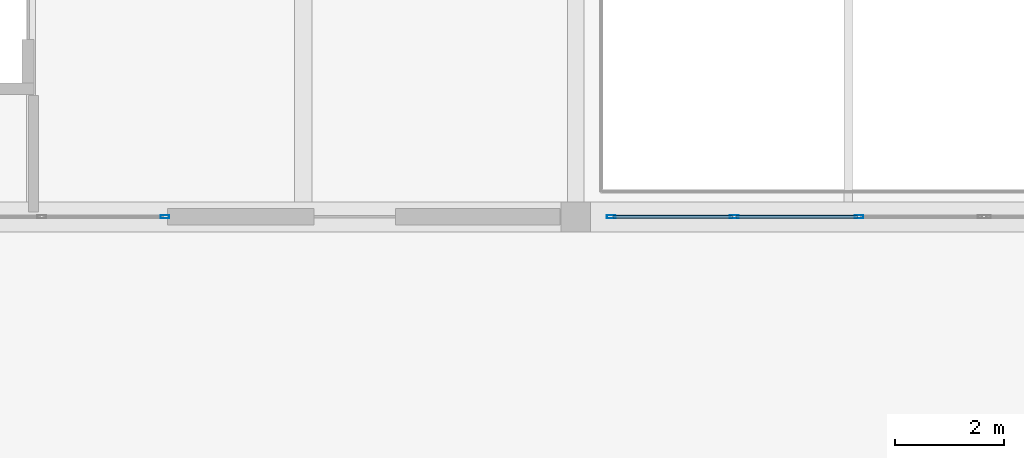
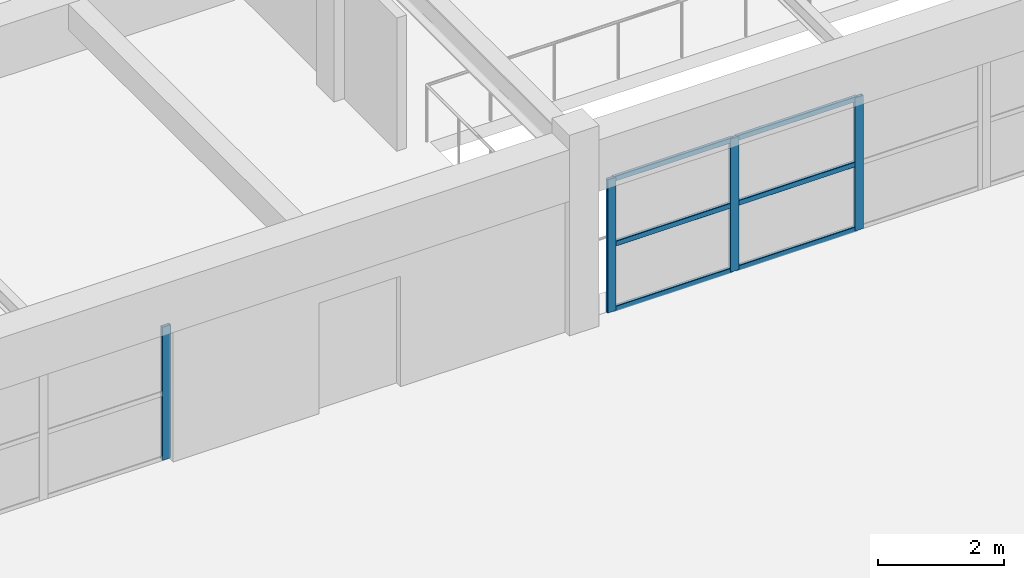
# One storey, part 4 of 101: 10 members, 2 elements without a shape of their own.
"""IFC4 building model written with IfcOpenShell, lengths in metres."""

from ifc_helpers import new_model, si_unit, direction, frame, origin, origin_2d, place, context, subcontext, project, spatial, hollow_rectangle, extrude, material, material_profile, profile_set, type_object, element, aggregate, save


model = new_model("IFC4")

# Units and contexts
model_context = context("Model", 3, precision=1e-05, world=origin(), true_north=direction((0.0, 1.0)))
body_context = subcontext(model_context, "Body", "Model", "MODEL_VIEW")
ifc_project = project(units=[si_unit("LENGTHUNIT", "METRE"), si_unit("AREAUNIT", "SQUARE_METRE"), si_unit("VOLUMEUNIT", "CUBIC_METRE"), si_unit("PLANEANGLEUNIT", "RADIAN"), si_unit("MASSUNIT", "GRAM", prefix="KILO")], contexts=[model_context])

# Site, building, storey
site_placement = place(None, origin())
site = spatial("IfcSite", under=ifc_project, at=site_placement, CompositionType="ELEMENT")
building_placement = place(site_placement, origin())
building = spatial("IfcBuilding", under=site, at=building_placement, Name="Qasida Concert Hall", CompositionType="ELEMENT")
storey_placement = place(building_placement, frame((0.0, 0.0, 13.199951171875)))
storey = spatial("IfcBuildingStorey", under=building, at=storey_placement, Name="L03", CompositionType="ELEMENT", Elevation=13.199951171875)

# Curtain wall, member
ifc_material_1 = material(Name="Architectural bronze-anodized aluminium and low-E glass", Category="aluminium")
curtain_wall_type = type_object("IfcCurtainWallType", Name="CW-09", PredefinedType="NOTDEFINED", material=ifc_material_1)
curtain_wall_1_placement = place(storey_placement, origin())
curtain_wall_1 = element("IfcCurtainWall", 1, at=curtain_wall_1_placement, inside=storey, type_object=curtain_wall_type, Name="L03 curtain wall CW-09 0117", PredefinedType="NOTDEFINED")
ifc_material_2 = material(Name="Architectural bronze-anodized aluminium EN AW-6063", Category="aluminium")
ifc_material_profile_1 = material_profile(ifc_material_2, hollow_rectangle(XDim=0.06005859375, YDim=0.159912109375, WallThickness=0.00390625, InnerFilletRadius=0.00390625, OuterFilletRadius=0.008056640625, at=origin_2d()), Name="CWM 160x60x4")
ifc_profile_set_1 = profile_set([ifc_material_profile_1], Name="Architectural bronze-anodized aluminium EN AW-6063")
member_type_1 = type_object("IfcMemberType", Name="MB-CWM-3", PredefinedType="MULLION", material=ifc_profile_set_1)
member_1_placement = place(storey_placement, frame((7.4599609375, 15.0, 0.0), z_axis=(0.0, 0.0, 1.0), x_axis=(0.0, 1.0, 0.0)))
member_1 = element("IfcMember", 2, at=member_1_placement, type_object=member_type_1, Name="CW-09 mullion 4", PredefinedType="MULLION", context=body_context, shape_type="SweptSolid", body=[
    extrude(hollow_rectangle(XDim=0.06005859375, YDim=0.159912109375, WallThickness=0.00390625, InnerFilletRadius=0.00390625, OuterFilletRadius=0.008056640625, at=origin_2d()), origin(), (0.0, 0.0, 1.0), 2.590087890625),
])
aggregate(curtain_wall_1, [member_1])

# Curtain wall, members
curtain_wall_2_placement = place(storey_placement, origin())
curtain_wall_2 = element("IfcCurtainWall", 3, at=curtain_wall_2_placement, inside=storey, type_object=curtain_wall_type, Name="L03 curtain wall CW-09 0120", PredefinedType="NOTDEFINED")
member_2_placement = place(storey_placement, frame((15.64990234375, 15.0, 0.0), z_axis=(0.0, 0.0, 1.0), x_axis=(0.0, 1.0, 0.0)))
member_2 = element("IfcMember", 4, at=member_2_placement, type_object=member_type_1, Name="CW-09 mullion 1", PredefinedType="MULLION", context=body_context, shape_type="SweptSolid", body=[
    extrude(hollow_rectangle(XDim=0.06005859375, YDim=0.159912109375, WallThickness=0.00390625, InnerFilletRadius=0.00390625, OuterFilletRadius=0.008056640625, at=origin_2d()), origin(), (0.0, 0.0, 1.0), 2.590087890625),
])
member_3_placement = place(storey_placement, frame((17.909912109375, 15.0, 0.0), z_axis=(0.0, 0.0, 1.0), x_axis=(0.0, 1.0, 0.0)))
member_3 = element("IfcMember", 5, at=member_3_placement, type_object=member_type_1, Name="CW-09 mullion 2", PredefinedType="MULLION", context=body_context, shape_type="SweptSolid", body=[
    extrude(hollow_rectangle(XDim=0.06005859375, YDim=0.159912109375, WallThickness=0.00390625, InnerFilletRadius=0.00390625, OuterFilletRadius=0.008056640625, at=origin_2d()), origin(), (0.0, 0.0, 1.0), 2.590087890625),
])
member_4_placement = place(storey_placement, frame((20.199951171875, 15.0, 0.0), z_axis=(0.0, 0.0, 1.0), x_axis=(0.0, 1.0, 0.0)))
member_4 = element("IfcMember", 6, at=member_4_placement, type_object=member_type_1, Name="CW-09 mullion 3", PredefinedType="MULLION", context=body_context, shape_type="SweptSolid", body=[
    extrude(hollow_rectangle(XDim=0.06005859375, YDim=0.159912109375, WallThickness=0.00390625, InnerFilletRadius=0.00390625, OuterFilletRadius=0.008056640625, at=origin_2d()), origin(), (0.0, 0.0, 1.0), 2.590087890625),
])
ifc_material_profile_2 = material_profile(ifc_material_2, hollow_rectangle(XDim=0.06005859375, YDim=0.10009765625, WallThickness=0.00341796875, InnerFilletRadius=0.00341796875, OuterFilletRadius=0.007080078125, at=origin_2d()), Name="CWT 100x60x3.5")
ifc_profile_set_2 = profile_set([ifc_material_profile_2], Name="Architectural bronze-anodized aluminium EN AW-6063")
member_type_2 = type_object("IfcMemberType", Name="MB-CWT-3", PredefinedType="USERDEFINED", material=ifc_profile_set_2)
member_5_placement = place(storey_placement, frame((15.679931640625, 15.0, 0.030029296875), z_axis=(1.0, 0.0, 0.0), x_axis=(0.0, 1.0, 0.0)))
member_5 = element("IfcMember", 7, at=member_5_placement, type_object=member_type_2, Name="CW-09 transom 1.1", ObjectType="TRANSOM", PredefinedType="USERDEFINED", context=body_context, shape_type="SweptSolid", body=[
    extrude(hollow_rectangle(XDim=0.06005859375, YDim=0.10009765625, WallThickness=0.00341796875, InnerFilletRadius=0.00341796875, OuterFilletRadius=0.007080078125, at=origin_2d()), origin(), (0.0, 0.0, 1.0), 2.199951171875),
])
member_6_placement = place(storey_placement, frame((15.679931640625, 15.0, 1.295166015625), z_axis=(1.0, 0.0, 0.0), x_axis=(0.0, 1.0, 0.0)))
member_6 = element("IfcMember", 8, at=member_6_placement, type_object=member_type_2, Name="CW-09 transom 1.2", ObjectType="TRANSOM", PredefinedType="USERDEFINED", context=body_context, shape_type="SweptSolid", body=[
    extrude(hollow_rectangle(XDim=0.06005859375, YDim=0.10009765625, WallThickness=0.00341796875, InnerFilletRadius=0.00341796875, OuterFilletRadius=0.007080078125, at=origin_2d()), origin(), (0.0, 0.0, 1.0), 2.199951171875),
])
member_7_placement = place(storey_placement, frame((15.679931640625, 15.0, 2.56005859375), z_axis=(1.0, 0.0, 0.0), x_axis=(0.0, 1.0, 0.0)))
member_7 = element("IfcMember", 9, at=member_7_placement, type_object=member_type_2, Name="CW-09 transom 1.3", ObjectType="TRANSOM", PredefinedType="USERDEFINED", context=body_context, shape_type="SweptSolid", body=[
    extrude(hollow_rectangle(XDim=0.06005859375, YDim=0.10009765625, WallThickness=0.00341796875, InnerFilletRadius=0.00341796875, OuterFilletRadius=0.007080078125, at=origin_2d()), origin(), (0.0, 0.0, 1.0), 2.199951171875),
])
member_8_placement = place(storey_placement, frame((17.93994140625, 15.0, 0.030029296875), z_axis=(1.0, 0.0, 0.0), x_axis=(0.0, 1.0, 0.0)))
member_8 = element("IfcMember", 10, at=member_8_placement, type_object=member_type_2, Name="CW-09 transom 2.1", ObjectType="TRANSOM", PredefinedType="USERDEFINED", context=body_context, shape_type="SweptSolid", body=[
    extrude(hollow_rectangle(XDim=0.06005859375, YDim=0.10009765625, WallThickness=0.00341796875, InnerFilletRadius=0.00341796875, OuterFilletRadius=0.007080078125, at=origin_2d()), origin(), (0.0, 0.0, 1.0), 2.22998046875),
])
member_9_placement = place(storey_placement, frame((17.93994140625, 15.0, 1.295166015625), z_axis=(1.0, 0.0, 0.0), x_axis=(0.0, 1.0, 0.0)))
member_9 = element("IfcMember", 11, at=member_9_placement, type_object=member_type_2, Name="CW-09 transom 2.2", ObjectType="TRANSOM", PredefinedType="USERDEFINED", context=body_context, shape_type="SweptSolid", body=[
    extrude(hollow_rectangle(XDim=0.06005859375, YDim=0.10009765625, WallThickness=0.00341796875, InnerFilletRadius=0.00341796875, OuterFilletRadius=0.007080078125, at=origin_2d()), origin(), (0.0, 0.0, 1.0), 2.22998046875),
])
member_10_placement = place(storey_placement, frame((17.93994140625, 15.0, 2.56005859375), z_axis=(1.0, 0.0, 0.0), x_axis=(0.0, 1.0, 0.0)))
member_10 = element("IfcMember", 12, at=member_10_placement, type_object=member_type_2, Name="CW-09 transom 2.3", ObjectType="TRANSOM", PredefinedType="USERDEFINED", context=body_context, shape_type="SweptSolid", body=[
    extrude(hollow_rectangle(XDim=0.06005859375, YDim=0.10009765625, WallThickness=0.00341796875, InnerFilletRadius=0.00341796875, OuterFilletRadius=0.007080078125, at=origin_2d()), origin(), (0.0, 0.0, 1.0), 2.22998046875),
])
aggregate(curtain_wall_2, [member_2, member_3, member_4, member_5, member_6, member_7, member_8, member_9, member_10])

save(model, "model.ifc")
